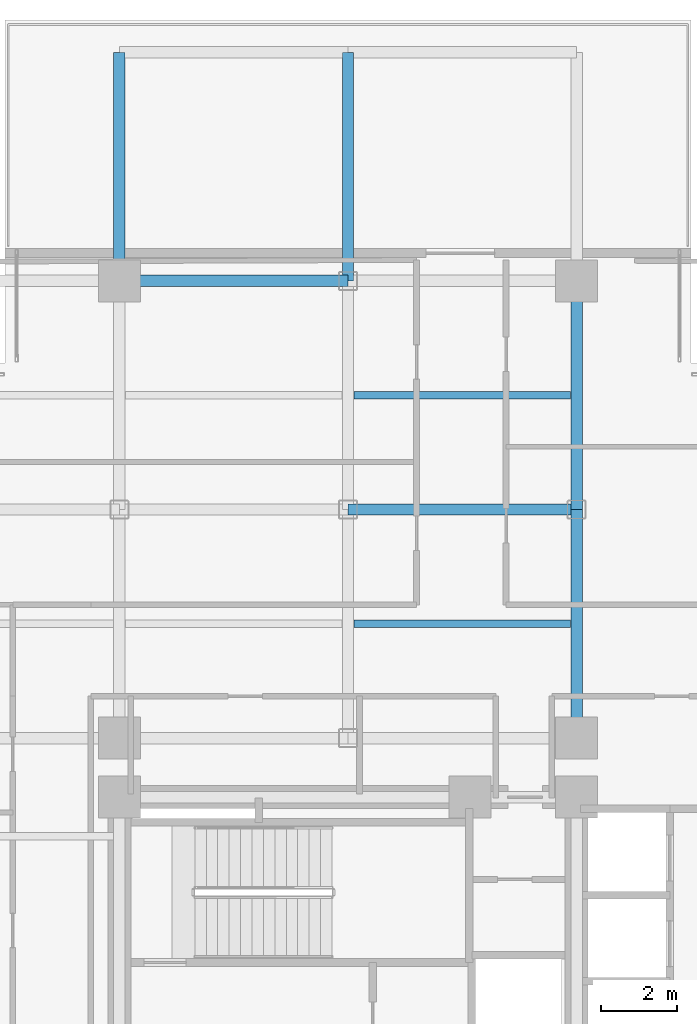
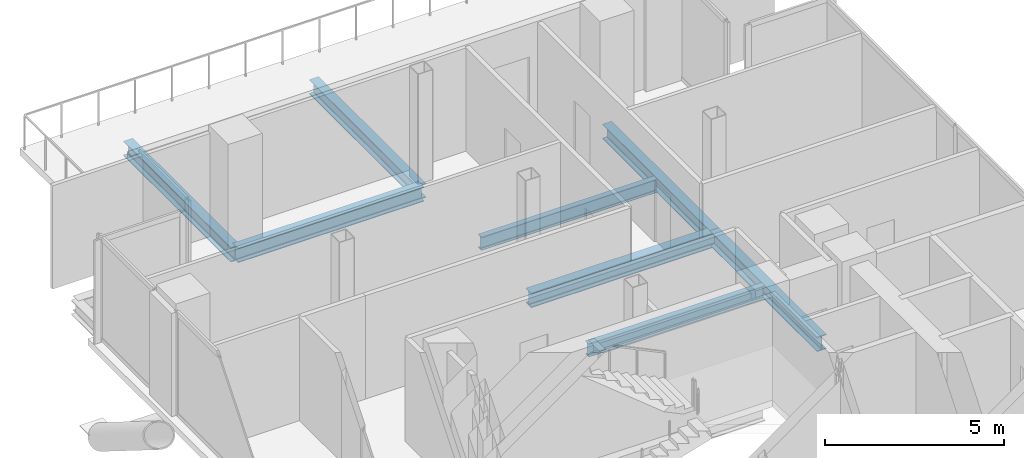
# One storey, part 16 of 26: 8 beams.
"""IFC4 building model written with IfcOpenShell, lengths in metres."""

from ifc_helpers import new_model, si_unit, direction, frame, origin, origin_2d, place, context, subcontext, project, spatial, i_section, extrude, material, material_profile, profile_set, type_object, element, save


model = new_model("IFC4")

# Units and contexts
model_context = context("Model", 3, precision=1e-05, world=origin(), true_north=direction((0.0, 1.0)))
body_context = subcontext(model_context, "Body", "Model", "MODEL_VIEW")
ifc_project = project(units=[si_unit("LENGTHUNIT", "METRE"), si_unit("AREAUNIT", "SQUARE_METRE"), si_unit("VOLUMEUNIT", "CUBIC_METRE"), si_unit("PLANEANGLEUNIT", "RADIAN"), si_unit("MASSUNIT", "GRAM", prefix="KILO"), si_unit("THERMODYNAMICTEMPERATUREUNIT", "KELVIN"), si_unit("POWERUNIT", "WATT")], contexts=[model_context])

# Site, building, storey
site_placement = place(None, origin())
site = spatial("IfcSite", under=ifc_project, at=site_placement, CompositionType="ELEMENT")
building_placement = place(site_placement, origin())
building = spatial("IfcBuilding", under=site, at=building_placement, Name="Svarakhadi Broadcast Tower", CompositionType="ELEMENT")
storey_placement = place(building_placement, frame((0.0, 0.0, 99.60009765625)))
storey = spatial("IfcBuildingStorey", under=building, at=storey_placement, Name="L23", CompositionType="ELEMENT", Elevation=99.60009765625)

# Beams
ifc_material = material(Name="Steel S355J2 (IS 2062 E350C)", Category="steel")
ifc_material_profile_1 = material_profile(ifc_material, i_section(OverallWidth=0.18994140625, OverallDepth=0.449951171875, WebThickness=0.009521484375, FlangeThickness=0.0146484375, FilletRadius=0.02099609375, at=origin_2d()), Name="NPB 450x190x78")
ifc_profile_set_1 = profile_set([ifc_material_profile_1], Name="Steel S355J2 (IS 2062 E350C)")
beam_type_1 = type_object("IfcBeamType", Name="Beam_NPB450", PredefinedType="BEAM", material=ifc_profile_set_1)
for number, where, z_axis, x_axis, name in (
    (1, (12.159912109375, 32.14990234375, -0.4501953125), (1.0, 0.0, 0.0), (0.0, 1.0, 0.0), "L23 Secondary Composite Beam SB015"),
    (2, (12.159912109375, 38.14990234375, -0.4501953125), (1.0, 0.0, 0.0), (0.0, 1.0, 0.0), "L23 Secondary Composite Beam SB016"),
):
    element("IfcBeam", number, at=place(storey_placement, frame(where, z_axis=z_axis, x_axis=x_axis)), inside=storey, type_object=beam_type_1, Name=name, PredefinedType="BEAM", context=body_context, shape_type="SweptSolid", body=[
        extrude(i_section(OverallWidth=0.18994140625, OverallDepth=0.449951171875, WebThickness=0.009521484375, FlangeThickness=0.0146484375, FilletRadius=0.02099609375, at=origin_2d()), origin(), (0.0, 0.0, 1.0), 5.68017578125),
    ])
ifc_material_profile_2 = material_profile(ifc_material, i_section(OverallWidth=0.300048828125, OverallDepth=0.5, WebThickness=0.014404296875, FlangeThickness=0.028076171875, FilletRadius=0.027099609375, at=origin_2d()), Name="WPB 500x300x187")
ifc_profile_set_2 = profile_set([ifc_material_profile_2], Name="Steel S355J2 (IS 2062 E350C)")
beam_type_2 = type_object("IfcBeamType", Name="Girder_WPB500", PredefinedType="USERDEFINED", material=ifc_profile_set_2)
for number, where, z_axis, x_axis, name in (
    (3, (6.0, 41.14990234375, -0.489990234375), (0.0, 1.0, 0.0), (-1.0, 0.0, 0.0), "L23 North Setback Terrace Bearer Girder"),
    (4, (12.0, 41.14990234375, -0.489990234375), (0.0, 1.0, 0.0), (-1.0, 0.0, 0.0), "L23 North Setback Terrace Bearer Girder"),
    (5, (12.0, 35.14990234375, -0.47509765625), (1.0, 0.0, 0.0), (0.0, 1.0, 0.0), "L23 Primary E-W Girder G038"),
    (6, (6.0, 41.14990234375, -0.47509765625), (1.0, 0.0, 0.0), (0.0, 1.0, 0.0), "L23 Primary E-W Girder G040"),
    (7, (18.0, 29.14990234375, -0.47509765625), (0.0, 1.0, 0.0), (-1.0, 0.0, 0.0), "L23 Primary N-S Girder G063"),
    (8, (18.0, 35.14990234375, -0.47509765625), (0.0, 1.0, 0.0), (-1.0, 0.0, 0.0), "L23 Primary N-S Girder G064"),
):
    element("IfcBeam", number, at=place(storey_placement, frame(where, z_axis=z_axis, x_axis=x_axis)), inside=storey, type_object=beam_type_2, Name=name, ObjectType="GIRDER", PredefinedType="USERDEFINED", context=body_context, shape_type="SweptSolid", body=[
        extrude(i_section(OverallWidth=0.300048828125, OverallDepth=0.5, WebThickness=0.014404296875, FlangeThickness=0.028076171875, FilletRadius=0.027099609375, at=origin_2d()), origin(), (0.0, 0.0, 1.0), 6.0),
    ])

save(model, "model.ifc")
